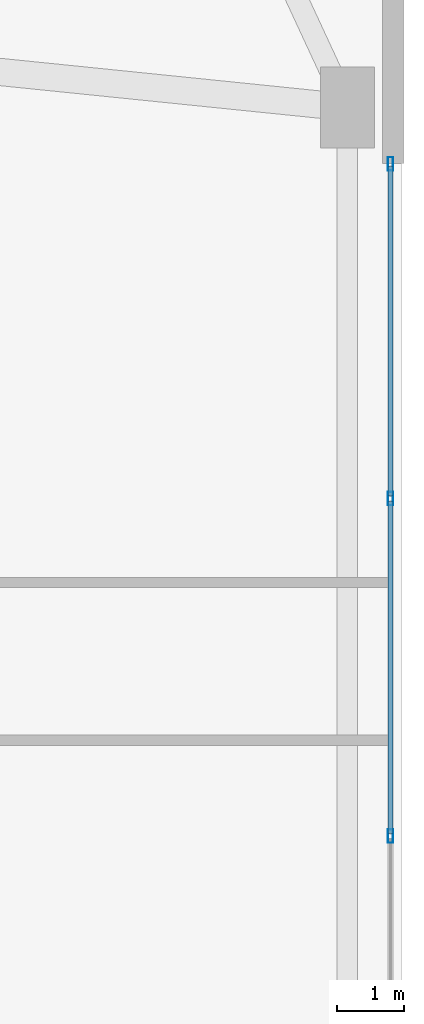
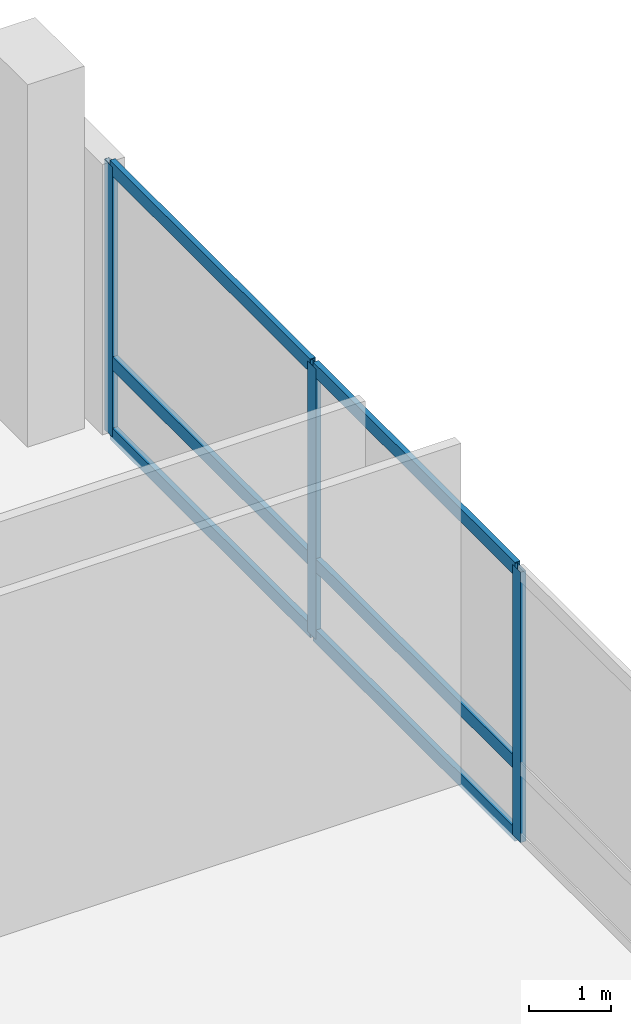
# One storey, part 20 of 31: 9 members, 1 element without a shape of its own.
"""IFC4 building model written with IfcOpenShell, lengths in metres."""

from ifc_helpers import new_model, si_unit, direction, frame, origin, origin_2d, place, context, subcontext, project, spatial, hollow_rectangle, extrude, material, layer, layer_set, material_profile, profile_set, type_object, element, aggregate, save


model = new_model("IFC4")

# Units and contexts
model_context = context("Model", 3, precision=1e-05, world=origin(), true_north=direction((0.0, 1.0)))
body_context = subcontext(model_context, "Body", "Model", "MODEL_VIEW")
ifc_project = project(units=[si_unit("LENGTHUNIT", "METRE"), si_unit("AREAUNIT", "SQUARE_METRE"), si_unit("VOLUMEUNIT", "CUBIC_METRE"), si_unit("PLANEANGLEUNIT", "RADIAN"), si_unit("MASSUNIT", "GRAM", prefix="KILO")], contexts=[model_context])

# Site, building, storey
site_placement = place(None, origin())
site = spatial("IfcSite", under=ifc_project, at=site_placement, CompositionType="ELEMENT")
building_placement = place(site_placement, origin())
building = spatial("IfcBuilding", under=site, at=building_placement, Name="Varnelok Gate Tower", CompositionType="ELEMENT")
storey_placement = place(building_placement, frame((0.0, 0.0, 16.199951171875)))
storey = spatial("IfcBuildingStorey", under=building, at=storey_placement, Name="L03", CompositionType="ELEMENT", Elevation=16.199951171875)

# Curtain wall, members
ifc_material = material(Name="Anodized Aluminum Alloy 6063-T6", Category="aluminium")
ifc_layer = layer(ifc_material, 0.179931640625)
ifc_layer_set = layer_set([ifc_layer], Name="Anodized Aluminum Alloy 6063-T6")
curtain_wall_type = type_object("IfcCurtainWallType", Name="CW1-ARCH-PORTAL", PredefinedType="USERDEFINED", material=ifc_layer_set)
curtain_wall_placement = place(storey_placement, origin())
curtain_wall = element("IfcCurtainWall", 1, at=curtain_wall_placement, inside=storey, type_object=curtain_wall_type, Name="L03 Podium Portal Curtain Wall E", ObjectType="UNITISED CURTAIN WALL", PredefinedType="USERDEFINED")
ifc_material_profile_1 = material_profile(ifc_material, hollow_rectangle(XDim=0.074951171875, YDim=0.199951171875, WallThickness=0.00390625, at=origin_2d()), Name="ALU200X75X4")
ifc_profile_set_1 = profile_set([ifc_material_profile_1], Name="Anodized Aluminum Alloy 6063-T6")
member_type_1 = type_object("IfcMemberType", Name="CW-MULL-200", PredefinedType="MULLION", material=ifc_profile_set_1)
member_1_placement = place(storey_placement, frame((78.239990234375, 35.16259765625, 0.0), z_axis=(0.0, 0.0, 1.0), x_axis=(1.0, 0.0, 0.0)))
member_1 = element("IfcMember", 2, at=member_1_placement, type_object=member_type_1, Name="CW1 mullion 1", PredefinedType="MULLION", context=body_context, shape_type="SweptSolid", body=[
    extrude(hollow_rectangle(XDim=0.074951171875, YDim=0.199951171875, WallThickness=0.00390625, at=origin_2d()), origin(), (0.0, 0.0, 1.0), 4.030029296875),
])
member_2_placement = place(storey_placement, frame((78.239990234375, 30.199951171875, 0.0), z_axis=(0.0, 0.0, 1.0), x_axis=(1.0, 0.0, 0.0)))
member_2 = element("IfcMember", 3, at=member_2_placement, type_object=member_type_1, Name="CW1 mullion 2", PredefinedType="MULLION", context=body_context, shape_type="SweptSolid", body=[
    extrude(hollow_rectangle(XDim=0.074951171875, YDim=0.199951171875, WallThickness=0.00390625, at=origin_2d()), origin(), (0.0, 0.0, 1.0), 4.030029296875),
])
member_3_placement = place(storey_placement, frame((78.239990234375, 25.199951171875, 0.0), z_axis=(0.0, 0.0, 1.0), x_axis=(1.0, 0.0, 0.0)))
member_3 = element("IfcMember", 4, at=member_3_placement, type_object=member_type_1, Name="CW1 mullion 3", PredefinedType="MULLION", context=body_context, shape_type="SweptSolid", body=[
    extrude(hollow_rectangle(XDim=0.074951171875, YDim=0.199951171875, WallThickness=0.00390625, at=origin_2d()), origin(), (0.0, 0.0, 1.0), 4.030029296875),
])
ifc_material_profile_2 = material_profile(ifc_material, hollow_rectangle(XDim=0.074951171875, YDim=0.199951171875, WallThickness=0.00390625, at=origin_2d()), Name="ALU200X75X4")
ifc_profile_set_2 = profile_set([ifc_material_profile_2], Name="Anodized Aluminum Alloy 6063-T6")
member_type_2 = type_object("IfcMemberType", Name="CW-TRAN-200", PredefinedType="USERDEFINED", material=ifc_profile_set_2)
member_4_placement = place(storey_placement, frame((78.239990234375, 35.125, 0.03759765625), z_axis=(0.0, -1.0, 0.0), x_axis=(1.0, 0.0, 0.0)))
member_4 = element("IfcMember", 5, at=member_4_placement, type_object=member_type_2, Name="CW1 transom 1.1", ObjectType="TRANSOM", PredefinedType="USERDEFINED", context=body_context, shape_type="SweptSolid", body=[
    extrude(hollow_rectangle(XDim=0.074951171875, YDim=0.199951171875, WallThickness=0.00390625, at=origin_2d()), origin(), (0.0, 0.0, 1.0), 4.887451171875),
])
member_5_placement = place(storey_placement, frame((78.239990234375, 35.125, 1.10009765625), z_axis=(0.0, -1.0, 0.0), x_axis=(1.0, 0.0, 0.0)))
member_5 = element("IfcMember", 6, at=member_5_placement, type_object=member_type_2, Name="CW1 transom 1.2", ObjectType="TRANSOM", PredefinedType="USERDEFINED", context=body_context, shape_type="SweptSolid", body=[
    extrude(hollow_rectangle(XDim=0.074951171875, YDim=0.199951171875, WallThickness=0.00390625, at=origin_2d()), origin(), (0.0, 0.0, 1.0), 4.887451171875),
])
member_6_placement = place(storey_placement, frame((78.239990234375, 35.125, 3.992431640625), z_axis=(0.0, -1.0, 0.0), x_axis=(1.0, 0.0, 0.0)))
member_6 = element("IfcMember", 7, at=member_6_placement, type_object=member_type_2, Name="CW1 transom 1.3", ObjectType="TRANSOM", PredefinedType="USERDEFINED", context=body_context, shape_type="SweptSolid", body=[
    extrude(hollow_rectangle(XDim=0.074951171875, YDim=0.199951171875, WallThickness=0.00390625, at=origin_2d()), origin(), (0.0, 0.0, 1.0), 4.887451171875),
])
member_7_placement = place(storey_placement, frame((78.239990234375, 30.16259765625, 0.03759765625), z_axis=(0.0, -1.0, 0.0), x_axis=(1.0, 0.0, 0.0)))
member_7 = element("IfcMember", 8, at=member_7_placement, type_object=member_type_2, Name="CW1 transom 2.1", ObjectType="TRANSOM", PredefinedType="USERDEFINED", context=body_context, shape_type="SweptSolid", body=[
    extrude(hollow_rectangle(XDim=0.074951171875, YDim=0.199951171875, WallThickness=0.00390625, at=origin_2d()), origin(), (0.0, 0.0, 1.0), 4.925048828125),
])
member_8_placement = place(storey_placement, frame((78.239990234375, 30.16259765625, 1.10009765625), z_axis=(0.0, -1.0, 0.0), x_axis=(1.0, 0.0, 0.0)))
member_8 = element("IfcMember", 9, at=member_8_placement, type_object=member_type_2, Name="CW1 transom 2.2", ObjectType="TRANSOM", PredefinedType="USERDEFINED", context=body_context, shape_type="SweptSolid", body=[
    extrude(hollow_rectangle(XDim=0.074951171875, YDim=0.199951171875, WallThickness=0.00390625, at=origin_2d()), origin(), (0.0, 0.0, 1.0), 4.925048828125),
])
member_9_placement = place(storey_placement, frame((78.239990234375, 30.16259765625, 3.992431640625), z_axis=(0.0, -1.0, 0.0), x_axis=(1.0, 0.0, 0.0)))
member_9 = element("IfcMember", 10, at=member_9_placement, type_object=member_type_2, Name="CW1 transom 2.3", ObjectType="TRANSOM", PredefinedType="USERDEFINED", context=body_context, shape_type="SweptSolid", body=[
    extrude(hollow_rectangle(XDim=0.074951171875, YDim=0.199951171875, WallThickness=0.00390625, at=origin_2d()), origin(), (0.0, 0.0, 1.0), 4.925048828125),
])
aggregate(curtain_wall, [member_1, member_2, member_3, member_4, member_5, member_6, member_7, member_8, member_9])

save(model, "model.ifc")
